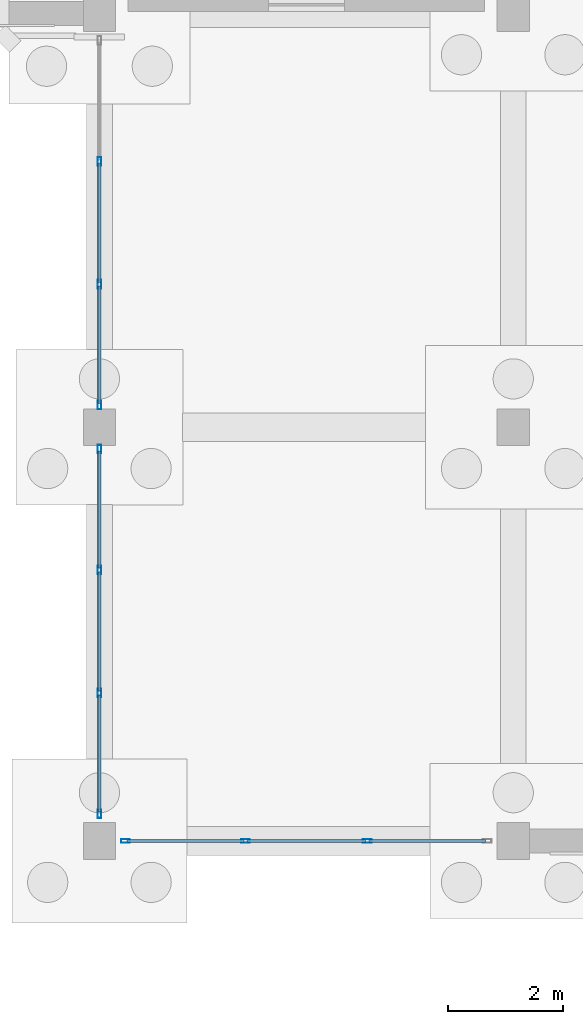
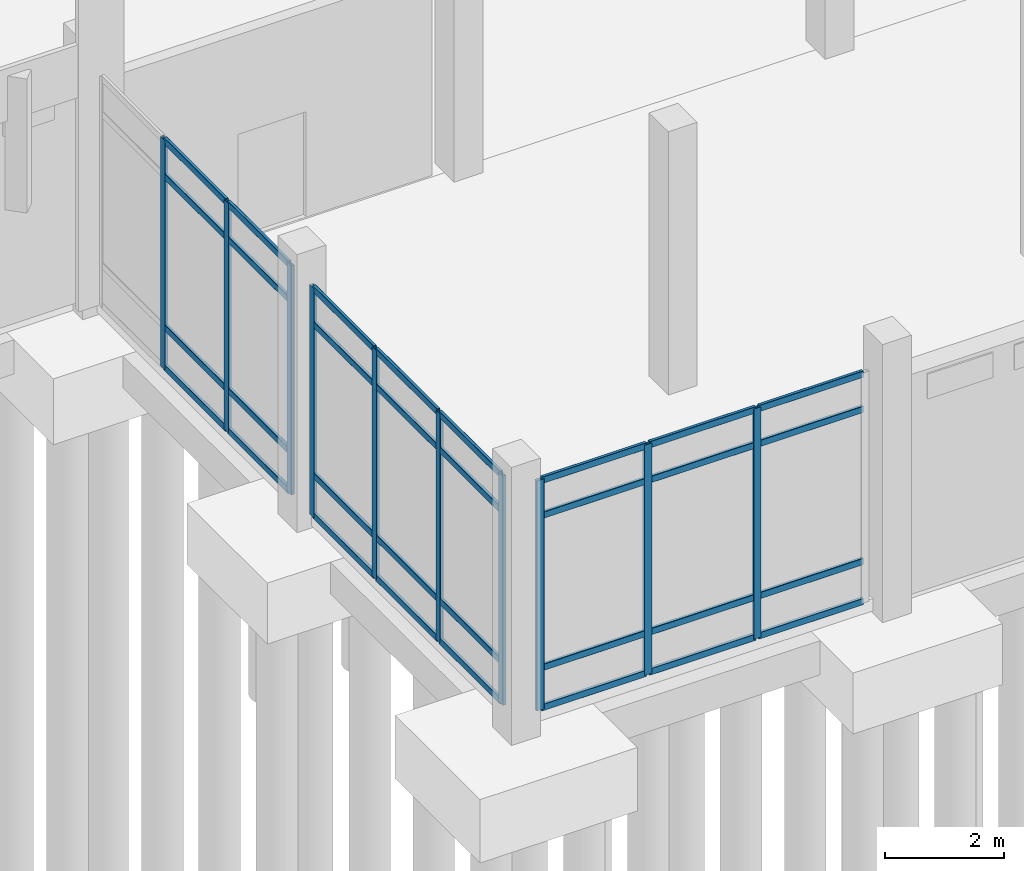
# One storey, part 50 of 109: 42 members, 3 elements without a shape of their own.
"""IFC4 building model written with IfcOpenShell, lengths in metres."""

from ifc_helpers import new_model, si_unit, direction, frame, origin, origin_2d, place, context, subcontext, project, spatial, hollow_rectangle, extrude, material, material_profile, profile_set, type_object, element, aggregate, save


model = new_model("IFC4")

# Units and contexts
model_context = context("Model", 3, precision=1e-05, world=origin(), true_north=direction((0.0, 1.0)))
body_context = subcontext(model_context, "Body", "Model", "MODEL_VIEW")
ifc_project = project(units=[si_unit("LENGTHUNIT", "METRE"), si_unit("AREAUNIT", "SQUARE_METRE"), si_unit("VOLUMEUNIT", "CUBIC_METRE"), si_unit("PLANEANGLEUNIT", "RADIAN"), si_unit("MASSUNIT", "GRAM", prefix="KILO")], contexts=[model_context])

# Site, building, storey
site_placement = place(None, origin())
site = spatial("IfcSite", under=ifc_project, at=site_placement, CompositionType="ELEMENT")
building_placement = place(site_placement, origin())
building = spatial("IfcBuilding", under=site, at=building_placement, Name="Lusvemor Sports Hall", CompositionType="ELEMENT")
storey_placement = place(building_placement, origin())
storey = spatial("IfcBuildingStorey", under=building, at=storey_placement, Name="L00", CompositionType="ELEMENT", Elevation=0.0)

# Curtain wall, members
ifc_material_1 = material(Name="Thermally broken bronze-anodized aluminium", Category="aluminium")
curtain_wall_type = type_object("IfcCurtainWallType", Name="CW_WING_B", PredefinedType="NOTDEFINED", material=ifc_material_1)
curtain_wall_1_placement = place(storey_placement, origin())
curtain_wall_1 = element("IfcCurtainWall", 1, at=curtain_wall_1_placement, inside=storey, type_object=curtain_wall_type, Name="Curtain Wall CW-L00-S-5-0", PredefinedType="NOTDEFINED")
ifc_material_2 = material(Name="Thermally broken bronze-anodized aluminium", Category="aluminium")
ifc_material_profile_1 = material_profile(ifc_material_2, hollow_rectangle(XDim=0.06494140625, YDim=0.14990234375, WallThickness=0.00390625, InnerFilletRadius=0.00390625, OuterFilletRadius=0.008056640625, at=origin_2d()), Name="CWMUL150x65x4")
ifc_profile_set_1 = profile_set([ifc_material_profile_1], Name="Thermally broken bronze-anodized aluminium")
member_type_1 = type_object("IfcMemberType", Name="CW_MUL_B", PredefinedType="MULLION", material=ifc_profile_set_1)
member_1_placement = place(storey_placement, frame((123.4599609375, 82.800048828125, 0.0), z_axis=(0.0, 0.0, 1.0), x_axis=(0.0, -1.0, 0.0)))
member_1 = element("IfcMember", 2, at=member_1_placement, type_object=member_type_1, Name="CW02 mullion 2", PredefinedType="MULLION", context=body_context, shape_type="SweptSolid", body=[
    extrude(hollow_rectangle(XDim=0.06494140625, YDim=0.14990234375, WallThickness=0.00390625, InnerFilletRadius=0.00390625, OuterFilletRadius=0.008056640625, at=origin_2d()), origin(), (0.0, 0.0, 1.0), 4.719970703125),
])
member_2_placement = place(storey_placement, frame((121.340087890625, 82.800048828125, 0.0), z_axis=(0.0, 0.0, 1.0), x_axis=(0.0, -1.0, 0.0)))
member_2 = element("IfcMember", 3, at=member_2_placement, type_object=member_type_1, Name="CW02 mullion 3", PredefinedType="MULLION", context=body_context, shape_type="SweptSolid", body=[
    extrude(hollow_rectangle(XDim=0.06494140625, YDim=0.14990234375, WallThickness=0.00390625, InnerFilletRadius=0.00390625, OuterFilletRadius=0.008056640625, at=origin_2d()), origin(), (0.0, 0.0, 1.0), 4.719970703125),
])
member_3_placement = place(storey_placement, frame((119.25244140625, 82.800048828125, 0.0), z_axis=(0.0, 0.0, 1.0), x_axis=(0.0, -1.0, 0.0)))
member_3 = element("IfcMember", 4, at=member_3_placement, type_object=member_type_1, Name="CW02 mullion 4", PredefinedType="MULLION", context=body_context, shape_type="SweptSolid", body=[
    extrude(hollow_rectangle(XDim=0.06494140625, YDim=0.14990234375, WallThickness=0.00390625, InnerFilletRadius=0.00390625, OuterFilletRadius=0.008056640625, at=origin_2d()), origin(), (0.0, 0.0, 1.0), 4.719970703125),
])

curtain_wall_2_placement = place(storey_placement, origin())
curtain_wall_2 = element("IfcCurtainWall", 5, at=curtain_wall_2_placement, inside=storey, type_object=curtain_wall_type, Name="Curtain Wall CW-V5NE-W-L00-A", PredefinedType="NOTDEFINED")
member_4_placement = place(storey_placement, frame((118.800048828125, 83.2724609375, 0.0), z_axis=(0.0, 0.0, 1.0), x_axis=(-1.0, 0.0, 0.0)))
member_4 = element("IfcMember", 6, at=member_4_placement, type_object=member_type_1, Name="CW02 mullion 1", PredefinedType="MULLION", context=body_context, shape_type="SweptSolid", body=[
    extrude(hollow_rectangle(XDim=0.06494140625, YDim=0.14990234375, WallThickness=0.00390625, InnerFilletRadius=0.00390625, OuterFilletRadius=0.008056640625, at=origin_2d()), origin(), (0.0, 0.0, 1.0), 4.699951171875),
])
member_5_placement = place(storey_placement, frame((118.800048828125, 85.376708984375, 0.0), z_axis=(0.0, 0.0, 1.0), x_axis=(-1.0, 0.0, 0.0)))
member_5 = element("IfcMember", 7, at=member_5_placement, type_object=member_type_1, Name="CW02 mullion 2", PredefinedType="MULLION", context=body_context, shape_type="SweptSolid", body=[
    extrude(hollow_rectangle(XDim=0.06494140625, YDim=0.14990234375, WallThickness=0.00390625, InnerFilletRadius=0.00390625, OuterFilletRadius=0.008056640625, at=origin_2d()), origin(), (0.0, 0.0, 1.0), 4.699951171875),
])
member_6_placement = place(storey_placement, frame((118.800048828125, 87.513427734375, 0.0), z_axis=(0.0, 0.0, 1.0), x_axis=(-1.0, 0.0, 0.0)))
member_6 = element("IfcMember", 8, at=member_6_placement, type_object=member_type_1, Name="CW02 mullion 3", PredefinedType="MULLION", context=body_context, shape_type="SweptSolid", body=[
    extrude(hollow_rectangle(XDim=0.06494140625, YDim=0.14990234375, WallThickness=0.00390625, InnerFilletRadius=0.00390625, OuterFilletRadius=0.008056640625, at=origin_2d()), origin(), (0.0, 0.0, 1.0), 4.699951171875),
])
member_7_placement = place(storey_placement, frame((118.800048828125, 89.617431640625, 0.0), z_axis=(0.0, 0.0, 1.0), x_axis=(-1.0, 0.0, 0.0)))
member_7 = element("IfcMember", 9, at=member_7_placement, type_object=member_type_1, Name="CW02 mullion 4", PredefinedType="MULLION", context=body_context, shape_type="SweptSolid", body=[
    extrude(hollow_rectangle(XDim=0.06494140625, YDim=0.14990234375, WallThickness=0.00390625, InnerFilletRadius=0.00390625, OuterFilletRadius=0.008056640625, at=origin_2d()), origin(), (0.0, 0.0, 1.0), 4.699951171875),
])

curtain_wall_3_placement = place(storey_placement, origin())
curtain_wall_3 = element("IfcCurtainWall", 10, at=curtain_wall_3_placement, inside=storey, type_object=curtain_wall_type, Name="Curtain Wall CW-V5NE-W-L00-B", PredefinedType="NOTDEFINED")
member_8_placement = place(storey_placement, frame((118.800048828125, 90.382568359375, 0.0), z_axis=(0.0, 0.0, 1.0), x_axis=(-1.0, 0.0, 0.0)))
member_8 = element("IfcMember", 11, at=member_8_placement, type_object=member_type_1, Name="CW02 mullion 1", PredefinedType="MULLION", context=body_context, shape_type="SweptSolid", body=[
    extrude(hollow_rectangle(XDim=0.06494140625, YDim=0.14990234375, WallThickness=0.00390625, InnerFilletRadius=0.00390625, OuterFilletRadius=0.008056640625, at=origin_2d()), origin(), (0.0, 0.0, 1.0), 4.699951171875),
])
member_9_placement = place(storey_placement, frame((118.800048828125, 92.486572265625, 0.0), z_axis=(0.0, 0.0, 1.0), x_axis=(-1.0, 0.0, 0.0)))
member_9 = element("IfcMember", 12, at=member_9_placement, type_object=member_type_1, Name="CW02 mullion 2", PredefinedType="MULLION", context=body_context, shape_type="SweptSolid", body=[
    extrude(hollow_rectangle(XDim=0.06494140625, YDim=0.14990234375, WallThickness=0.00390625, InnerFilletRadius=0.00390625, OuterFilletRadius=0.008056640625, at=origin_2d()), origin(), (0.0, 0.0, 1.0), 4.699951171875),
])
member_10_placement = place(storey_placement, frame((118.800048828125, 94.623291015625, 0.0), z_axis=(0.0, 0.0, 1.0), x_axis=(-1.0, 0.0, 0.0)))
member_10 = element("IfcMember", 13, at=member_10_placement, type_object=member_type_1, Name="CW02 mullion 3", PredefinedType="MULLION", context=body_context, shape_type="SweptSolid", body=[
    extrude(hollow_rectangle(XDim=0.06494140625, YDim=0.14990234375, WallThickness=0.00390625, InnerFilletRadius=0.00390625, OuterFilletRadius=0.008056640625, at=origin_2d()), origin(), (0.0, 0.0, 1.0), 4.699951171875),
])

# Member
ifc_material_3 = material(Name="Thermally broken bronze-anodized aluminium", Category="aluminium")
ifc_material_profile_2 = material_profile(ifc_material_3, hollow_rectangle(XDim=0.06005859375, YDim=0.135009765625, WallThickness=0.00390625, InnerFilletRadius=0.00390625, OuterFilletRadius=0.008056640625, at=origin_2d()), Name="CWTRN135x60x4")
ifc_profile_set_2 = profile_set([ifc_material_profile_2], Name="Thermally broken bronze-anodized aluminium")
member_type_2 = type_object("IfcMemberType", Name="CW_TRN_B", PredefinedType="USERDEFINED", material=ifc_profile_set_2)
member_11_placement = place(storey_placement, frame((125.514892578125, 82.800048828125, 0.030029296875), z_axis=(-1.0, 0.0, 0.0), x_axis=(0.0, -1.0, 0.0)))
member_11 = element("IfcMember", 14, at=member_11_placement, type_object=member_type_2, Name="CW02 transom 1.1", ObjectType="TRANSOM", PredefinedType="USERDEFINED", context=body_context, shape_type="SweptSolid", body=[
    extrude(hollow_rectangle(XDim=0.06005859375, YDim=0.135009765625, WallThickness=0.00390625, InnerFilletRadius=0.00390625, OuterFilletRadius=0.008056640625, at=origin_2d()), origin(), (0.0, 0.0, 1.0), 2.0224609375),
])

member_12_placement = place(storey_placement, frame((125.514892578125, 82.800048828125, 0.85009765625), z_axis=(-1.0, 0.0, 0.0), x_axis=(0.0, -1.0, 0.0)))
member_12 = element("IfcMember", 15, at=member_12_placement, type_object=member_type_2, Name="CW02 transom 1.2", ObjectType="TRANSOM", PredefinedType="USERDEFINED", context=body_context, shape_type="SweptSolid", body=[
    extrude(hollow_rectangle(XDim=0.06005859375, YDim=0.135009765625, WallThickness=0.00390625, InnerFilletRadius=0.00390625, OuterFilletRadius=0.008056640625, at=origin_2d()), origin(), (0.0, 0.0, 1.0), 2.0224609375),
])

member_13_placement = place(storey_placement, frame((125.514892578125, 82.800048828125, 3.969970703125), z_axis=(-1.0, 0.0, 0.0), x_axis=(0.0, -1.0, 0.0)))
member_13 = element("IfcMember", 16, at=member_13_placement, type_object=member_type_2, Name="CW02 transom 1.3", ObjectType="TRANSOM", PredefinedType="USERDEFINED", context=body_context, shape_type="SweptSolid", body=[
    extrude(hollow_rectangle(XDim=0.06005859375, YDim=0.135009765625, WallThickness=0.00390625, InnerFilletRadius=0.00390625, OuterFilletRadius=0.008056640625, at=origin_2d()), origin(), (0.0, 0.0, 1.0), 2.0224609375),
])

member_14_placement = place(storey_placement, frame((125.514892578125, 82.800048828125, 4.68994140625), z_axis=(-1.0, 0.0, 0.0), x_axis=(0.0, -1.0, 0.0)))
member_14 = element("IfcMember", 17, at=member_14_placement, type_object=member_type_2, Name="CW02 transom 1.4", ObjectType="TRANSOM", PredefinedType="USERDEFINED", context=body_context, shape_type="SweptSolid", body=[
    extrude(hollow_rectangle(XDim=0.06005859375, YDim=0.135009765625, WallThickness=0.00390625, InnerFilletRadius=0.00390625, OuterFilletRadius=0.008056640625, at=origin_2d()), origin(), (0.0, 0.0, 1.0), 2.0224609375),
])

member_15_placement = place(storey_placement, frame((123.427490234375, 82.800048828125, 0.030029296875), z_axis=(-1.0, 0.0, 0.0), x_axis=(0.0, -1.0, 0.0)))
member_15 = element("IfcMember", 18, at=member_15_placement, type_object=member_type_2, Name="CW02 transom 2.1", ObjectType="TRANSOM", PredefinedType="USERDEFINED", context=body_context, shape_type="SweptSolid", body=[
    extrude(hollow_rectangle(XDim=0.06005859375, YDim=0.135009765625, WallThickness=0.00390625, InnerFilletRadius=0.00390625, OuterFilletRadius=0.008056640625, at=origin_2d()), origin(), (0.0, 0.0, 1.0), 2.054931640625),
])

member_16_placement = place(storey_placement, frame((123.427490234375, 82.800048828125, 0.85009765625), z_axis=(-1.0, 0.0, 0.0), x_axis=(0.0, -1.0, 0.0)))
member_16 = element("IfcMember", 19, at=member_16_placement, type_object=member_type_2, Name="CW02 transom 2.2", ObjectType="TRANSOM", PredefinedType="USERDEFINED", context=body_context, shape_type="SweptSolid", body=[
    extrude(hollow_rectangle(XDim=0.06005859375, YDim=0.135009765625, WallThickness=0.00390625, InnerFilletRadius=0.00390625, OuterFilletRadius=0.008056640625, at=origin_2d()), origin(), (0.0, 0.0, 1.0), 2.054931640625),
])

member_17_placement = place(storey_placement, frame((123.427490234375, 82.800048828125, 3.969970703125), z_axis=(-1.0, 0.0, 0.0), x_axis=(0.0, -1.0, 0.0)))
member_17 = element("IfcMember", 20, at=member_17_placement, type_object=member_type_2, Name="CW02 transom 2.3", ObjectType="TRANSOM", PredefinedType="USERDEFINED", context=body_context, shape_type="SweptSolid", body=[
    extrude(hollow_rectangle(XDim=0.06005859375, YDim=0.135009765625, WallThickness=0.00390625, InnerFilletRadius=0.00390625, OuterFilletRadius=0.008056640625, at=origin_2d()), origin(), (0.0, 0.0, 1.0), 2.054931640625),
])

member_18_placement = place(storey_placement, frame((123.427490234375, 82.800048828125, 4.68994140625), z_axis=(-1.0, 0.0, 0.0), x_axis=(0.0, -1.0, 0.0)))
member_18 = element("IfcMember", 21, at=member_18_placement, type_object=member_type_2, Name="CW02 transom 2.4", ObjectType="TRANSOM", PredefinedType="USERDEFINED", context=body_context, shape_type="SweptSolid", body=[
    extrude(hollow_rectangle(XDim=0.06005859375, YDim=0.135009765625, WallThickness=0.00390625, InnerFilletRadius=0.00390625, OuterFilletRadius=0.008056640625, at=origin_2d()), origin(), (0.0, 0.0, 1.0), 2.054931640625),
])

member_19_placement = place(storey_placement, frame((121.3076171875, 82.800048828125, 0.030029296875), z_axis=(-1.0, 0.0, 0.0), x_axis=(0.0, -1.0, 0.0)))
member_19 = element("IfcMember", 22, at=member_19_placement, type_object=member_type_2, Name="CW02 transom 3.1", ObjectType="TRANSOM", PredefinedType="USERDEFINED", context=body_context, shape_type="SweptSolid", body=[
    extrude(hollow_rectangle(XDim=0.06005859375, YDim=0.135009765625, WallThickness=0.00390625, InnerFilletRadius=0.00390625, OuterFilletRadius=0.008056640625, at=origin_2d()), origin(), (0.0, 0.0, 1.0), 2.022705078125),
])

member_20_placement = place(storey_placement, frame((121.3076171875, 82.800048828125, 0.85009765625), z_axis=(-1.0, 0.0, 0.0), x_axis=(0.0, -1.0, 0.0)))
member_20 = element("IfcMember", 23, at=member_20_placement, type_object=member_type_2, Name="CW02 transom 3.2", ObjectType="TRANSOM", PredefinedType="USERDEFINED", context=body_context, shape_type="SweptSolid", body=[
    extrude(hollow_rectangle(XDim=0.06005859375, YDim=0.135009765625, WallThickness=0.00390625, InnerFilletRadius=0.00390625, OuterFilletRadius=0.008056640625, at=origin_2d()), origin(), (0.0, 0.0, 1.0), 2.022705078125),
])

member_21_placement = place(storey_placement, frame((121.3076171875, 82.800048828125, 3.969970703125), z_axis=(-1.0, 0.0, 0.0), x_axis=(0.0, -1.0, 0.0)))
member_21 = element("IfcMember", 24, at=member_21_placement, type_object=member_type_2, Name="CW02 transom 3.3", ObjectType="TRANSOM", PredefinedType="USERDEFINED", context=body_context, shape_type="SweptSolid", body=[
    extrude(hollow_rectangle(XDim=0.06005859375, YDim=0.135009765625, WallThickness=0.00390625, InnerFilletRadius=0.00390625, OuterFilletRadius=0.008056640625, at=origin_2d()), origin(), (0.0, 0.0, 1.0), 2.022705078125),
])

member_22_placement = place(storey_placement, frame((121.3076171875, 82.800048828125, 4.68994140625), z_axis=(-1.0, 0.0, 0.0), x_axis=(0.0, -1.0, 0.0)))
member_22 = element("IfcMember", 25, at=member_22_placement, type_object=member_type_2, Name="CW02 transom 3.4", ObjectType="TRANSOM", PredefinedType="USERDEFINED", context=body_context, shape_type="SweptSolid", body=[
    extrude(hollow_rectangle(XDim=0.06005859375, YDim=0.135009765625, WallThickness=0.00390625, InnerFilletRadius=0.00390625, OuterFilletRadius=0.008056640625, at=origin_2d()), origin(), (0.0, 0.0, 1.0), 2.022705078125),
])

aggregate(curtain_wall_1, [member_1, member_2, member_3, member_11, member_12, member_13, member_14, member_15, member_16, member_17, member_18, member_19, member_20, member_21, member_22])

member_23_placement = place(storey_placement, frame((118.800048828125, 83.304931640625, 0.030029296875), z_axis=(0.0, 1.0, 0.0), x_axis=(-1.0, 0.0, 0.0)))
member_23 = element("IfcMember", 26, at=member_23_placement, type_object=member_type_2, Name="CW02 transom 1.1", ObjectType="TRANSOM", PredefinedType="USERDEFINED", context=body_context, shape_type="SweptSolid", body=[
    extrude(hollow_rectangle(XDim=0.06005859375, YDim=0.135009765625, WallThickness=0.00390625, InnerFilletRadius=0.00390625, OuterFilletRadius=0.008056640625, at=origin_2d()), origin(), (0.0, 0.0, 1.0), 2.039306640625),
])

member_24_placement = place(storey_placement, frame((118.800048828125, 83.304931640625, 0.85009765625), z_axis=(0.0, 1.0, 0.0), x_axis=(-1.0, 0.0, 0.0)))
member_24 = element("IfcMember", 27, at=member_24_placement, type_object=member_type_2, Name="CW02 transom 1.2", ObjectType="TRANSOM", PredefinedType="USERDEFINED", context=body_context, shape_type="SweptSolid", body=[
    extrude(hollow_rectangle(XDim=0.06005859375, YDim=0.135009765625, WallThickness=0.00390625, InnerFilletRadius=0.00390625, OuterFilletRadius=0.008056640625, at=origin_2d()), origin(), (0.0, 0.0, 1.0), 2.039306640625),
])

member_25_placement = place(storey_placement, frame((118.800048828125, 83.304931640625, 3.949951171875), z_axis=(0.0, 1.0, 0.0), x_axis=(-1.0, 0.0, 0.0)))
member_25 = element("IfcMember", 28, at=member_25_placement, type_object=member_type_2, Name="CW02 transom 1.3", ObjectType="TRANSOM", PredefinedType="USERDEFINED", context=body_context, shape_type="SweptSolid", body=[
    extrude(hollow_rectangle(XDim=0.06005859375, YDim=0.135009765625, WallThickness=0.00390625, InnerFilletRadius=0.00390625, OuterFilletRadius=0.008056640625, at=origin_2d()), origin(), (0.0, 0.0, 1.0), 2.039306640625),
])

member_26_placement = place(storey_placement, frame((118.800048828125, 83.304931640625, 4.669921875), z_axis=(0.0, 1.0, 0.0), x_axis=(-1.0, 0.0, 0.0)))
member_26 = element("IfcMember", 29, at=member_26_placement, type_object=member_type_2, Name="CW02 transom 1.4", ObjectType="TRANSOM", PredefinedType="USERDEFINED", context=body_context, shape_type="SweptSolid", body=[
    extrude(hollow_rectangle(XDim=0.06005859375, YDim=0.135009765625, WallThickness=0.00390625, InnerFilletRadius=0.00390625, OuterFilletRadius=0.008056640625, at=origin_2d()), origin(), (0.0, 0.0, 1.0), 2.039306640625),
])

member_27_placement = place(storey_placement, frame((118.800048828125, 85.4091796875, 0.030029296875), z_axis=(0.0, 1.0, 0.0), x_axis=(-1.0, 0.0, 0.0)))
member_27 = element("IfcMember", 30, at=member_27_placement, type_object=member_type_2, Name="CW02 transom 2.1", ObjectType="TRANSOM", PredefinedType="USERDEFINED", context=body_context, shape_type="SweptSolid", body=[
    extrude(hollow_rectangle(XDim=0.06005859375, YDim=0.135009765625, WallThickness=0.00390625, InnerFilletRadius=0.00390625, OuterFilletRadius=0.008056640625, at=origin_2d()), origin(), (0.0, 0.0, 1.0), 2.071533203125),
])

member_28_placement = place(storey_placement, frame((118.800048828125, 85.4091796875, 0.85009765625), z_axis=(0.0, 1.0, 0.0), x_axis=(-1.0, 0.0, 0.0)))
member_28 = element("IfcMember", 31, at=member_28_placement, type_object=member_type_2, Name="CW02 transom 2.2", ObjectType="TRANSOM", PredefinedType="USERDEFINED", context=body_context, shape_type="SweptSolid", body=[
    extrude(hollow_rectangle(XDim=0.06005859375, YDim=0.135009765625, WallThickness=0.00390625, InnerFilletRadius=0.00390625, OuterFilletRadius=0.008056640625, at=origin_2d()), origin(), (0.0, 0.0, 1.0), 2.071533203125),
])

member_29_placement = place(storey_placement, frame((118.800048828125, 85.4091796875, 3.949951171875), z_axis=(0.0, 1.0, 0.0), x_axis=(-1.0, 0.0, 0.0)))
member_29 = element("IfcMember", 32, at=member_29_placement, type_object=member_type_2, Name="CW02 transom 2.3", ObjectType="TRANSOM", PredefinedType="USERDEFINED", context=body_context, shape_type="SweptSolid", body=[
    extrude(hollow_rectangle(XDim=0.06005859375, YDim=0.135009765625, WallThickness=0.00390625, InnerFilletRadius=0.00390625, OuterFilletRadius=0.008056640625, at=origin_2d()), origin(), (0.0, 0.0, 1.0), 2.071533203125),
])

member_30_placement = place(storey_placement, frame((118.800048828125, 85.4091796875, 4.669921875), z_axis=(0.0, 1.0, 0.0), x_axis=(-1.0, 0.0, 0.0)))
member_30 = element("IfcMember", 33, at=member_30_placement, type_object=member_type_2, Name="CW02 transom 2.4", ObjectType="TRANSOM", PredefinedType="USERDEFINED", context=body_context, shape_type="SweptSolid", body=[
    extrude(hollow_rectangle(XDim=0.06005859375, YDim=0.135009765625, WallThickness=0.00390625, InnerFilletRadius=0.00390625, OuterFilletRadius=0.008056640625, at=origin_2d()), origin(), (0.0, 0.0, 1.0), 2.071533203125),
])

member_31_placement = place(storey_placement, frame((118.800048828125, 87.5458984375, 0.030029296875), z_axis=(0.0, 1.0, 0.0), x_axis=(-1.0, 0.0, 0.0)))
member_31 = element("IfcMember", 34, at=member_31_placement, type_object=member_type_2, Name="CW02 transom 3.1", ObjectType="TRANSOM", PredefinedType="USERDEFINED", context=body_context, shape_type="SweptSolid", body=[
    extrude(hollow_rectangle(XDim=0.06005859375, YDim=0.135009765625, WallThickness=0.00390625, InnerFilletRadius=0.00390625, OuterFilletRadius=0.008056640625, at=origin_2d()), origin(), (0.0, 0.0, 1.0), 2.0390625),
])

member_32_placement = place(storey_placement, frame((118.800048828125, 87.5458984375, 0.85009765625), z_axis=(0.0, 1.0, 0.0), x_axis=(-1.0, 0.0, 0.0)))
member_32 = element("IfcMember", 35, at=member_32_placement, type_object=member_type_2, Name="CW02 transom 3.2", ObjectType="TRANSOM", PredefinedType="USERDEFINED", context=body_context, shape_type="SweptSolid", body=[
    extrude(hollow_rectangle(XDim=0.06005859375, YDim=0.135009765625, WallThickness=0.00390625, InnerFilletRadius=0.00390625, OuterFilletRadius=0.008056640625, at=origin_2d()), origin(), (0.0, 0.0, 1.0), 2.0390625),
])

member_33_placement = place(storey_placement, frame((118.800048828125, 87.5458984375, 3.949951171875), z_axis=(0.0, 1.0, 0.0), x_axis=(-1.0, 0.0, 0.0)))
member_33 = element("IfcMember", 36, at=member_33_placement, type_object=member_type_2, Name="CW02 transom 3.3", ObjectType="TRANSOM", PredefinedType="USERDEFINED", context=body_context, shape_type="SweptSolid", body=[
    extrude(hollow_rectangle(XDim=0.06005859375, YDim=0.135009765625, WallThickness=0.00390625, InnerFilletRadius=0.00390625, OuterFilletRadius=0.008056640625, at=origin_2d()), origin(), (0.0, 0.0, 1.0), 2.0390625),
])

member_34_placement = place(storey_placement, frame((118.800048828125, 87.5458984375, 4.669921875), z_axis=(0.0, 1.0, 0.0), x_axis=(-1.0, 0.0, 0.0)))
member_34 = element("IfcMember", 37, at=member_34_placement, type_object=member_type_2, Name="CW02 transom 3.4", ObjectType="TRANSOM", PredefinedType="USERDEFINED", context=body_context, shape_type="SweptSolid", body=[
    extrude(hollow_rectangle(XDim=0.06005859375, YDim=0.135009765625, WallThickness=0.00390625, InnerFilletRadius=0.00390625, OuterFilletRadius=0.008056640625, at=origin_2d()), origin(), (0.0, 0.0, 1.0), 2.0390625),
])

aggregate(curtain_wall_2, [member_4, member_5, member_6, member_7, member_23, member_24, member_25, member_26, member_27, member_28, member_29, member_30, member_31, member_32, member_33, member_34])

member_35_placement = place(storey_placement, frame((118.800048828125, 90.4150390625, 0.030029296875), z_axis=(0.0, 1.0, 0.0), x_axis=(-1.0, 0.0, 0.0)))
member_35 = element("IfcMember", 38, at=member_35_placement, type_object=member_type_2, Name="CW02 transom 1.1", ObjectType="TRANSOM", PredefinedType="USERDEFINED", context=body_context, shape_type="SweptSolid", body=[
    extrude(hollow_rectangle(XDim=0.06005859375, YDim=0.135009765625, WallThickness=0.00390625, InnerFilletRadius=0.00390625, OuterFilletRadius=0.008056640625, at=origin_2d()), origin(), (0.0, 0.0, 1.0), 2.0390625),
])

member_36_placement = place(storey_placement, frame((118.800048828125, 90.4150390625, 0.85009765625), z_axis=(0.0, 1.0, 0.0), x_axis=(-1.0, 0.0, 0.0)))
member_36 = element("IfcMember", 39, at=member_36_placement, type_object=member_type_2, Name="CW02 transom 1.2", ObjectType="TRANSOM", PredefinedType="USERDEFINED", context=body_context, shape_type="SweptSolid", body=[
    extrude(hollow_rectangle(XDim=0.06005859375, YDim=0.135009765625, WallThickness=0.00390625, InnerFilletRadius=0.00390625, OuterFilletRadius=0.008056640625, at=origin_2d()), origin(), (0.0, 0.0, 1.0), 2.0390625),
])

member_37_placement = place(storey_placement, frame((118.800048828125, 90.4150390625, 3.949951171875), z_axis=(0.0, 1.0, 0.0), x_axis=(-1.0, 0.0, 0.0)))
member_37 = element("IfcMember", 40, at=member_37_placement, type_object=member_type_2, Name="CW02 transom 1.3", ObjectType="TRANSOM", PredefinedType="USERDEFINED", context=body_context, shape_type="SweptSolid", body=[
    extrude(hollow_rectangle(XDim=0.06005859375, YDim=0.135009765625, WallThickness=0.00390625, InnerFilletRadius=0.00390625, OuterFilletRadius=0.008056640625, at=origin_2d()), origin(), (0.0, 0.0, 1.0), 2.0390625),
])

member_38_placement = place(storey_placement, frame((118.800048828125, 90.4150390625, 4.669921875), z_axis=(0.0, 1.0, 0.0), x_axis=(-1.0, 0.0, 0.0)))
member_38 = element("IfcMember", 41, at=member_38_placement, type_object=member_type_2, Name="CW02 transom 1.4", ObjectType="TRANSOM", PredefinedType="USERDEFINED", context=body_context, shape_type="SweptSolid", body=[
    extrude(hollow_rectangle(XDim=0.06005859375, YDim=0.135009765625, WallThickness=0.00390625, InnerFilletRadius=0.00390625, OuterFilletRadius=0.008056640625, at=origin_2d()), origin(), (0.0, 0.0, 1.0), 2.0390625),
])

member_39_placement = place(storey_placement, frame((118.800048828125, 92.519287109375, 0.030029296875), z_axis=(0.0, 1.0, 0.0), x_axis=(-1.0, 0.0, 0.0)))
member_39 = element("IfcMember", 42, at=member_39_placement, type_object=member_type_2, Name="CW02 transom 2.1", ObjectType="TRANSOM", PredefinedType="USERDEFINED", context=body_context, shape_type="SweptSolid", body=[
    extrude(hollow_rectangle(XDim=0.06005859375, YDim=0.135009765625, WallThickness=0.00390625, InnerFilletRadius=0.00390625, OuterFilletRadius=0.008056640625, at=origin_2d()), origin(), (0.0, 0.0, 1.0), 2.071533203125),
])

member_40_placement = place(storey_placement, frame((118.800048828125, 92.519287109375, 0.85009765625), z_axis=(0.0, 1.0, 0.0), x_axis=(-1.0, 0.0, 0.0)))
member_40 = element("IfcMember", 43, at=member_40_placement, type_object=member_type_2, Name="CW02 transom 2.2", ObjectType="TRANSOM", PredefinedType="USERDEFINED", context=body_context, shape_type="SweptSolid", body=[
    extrude(hollow_rectangle(XDim=0.06005859375, YDim=0.135009765625, WallThickness=0.00390625, InnerFilletRadius=0.00390625, OuterFilletRadius=0.008056640625, at=origin_2d()), origin(), (0.0, 0.0, 1.0), 2.071533203125),
])

member_41_placement = place(storey_placement, frame((118.800048828125, 92.519287109375, 3.949951171875), z_axis=(0.0, 1.0, 0.0), x_axis=(-1.0, 0.0, 0.0)))
member_41 = element("IfcMember", 44, at=member_41_placement, type_object=member_type_2, Name="CW02 transom 2.3", ObjectType="TRANSOM", PredefinedType="USERDEFINED", context=body_context, shape_type="SweptSolid", body=[
    extrude(hollow_rectangle(XDim=0.06005859375, YDim=0.135009765625, WallThickness=0.00390625, InnerFilletRadius=0.00390625, OuterFilletRadius=0.008056640625, at=origin_2d()), origin(), (0.0, 0.0, 1.0), 2.071533203125),
])

member_42_placement = place(storey_placement, frame((118.800048828125, 92.519287109375, 4.669921875), z_axis=(0.0, 1.0, 0.0), x_axis=(-1.0, 0.0, 0.0)))
member_42 = element("IfcMember", 45, at=member_42_placement, type_object=member_type_2, Name="CW02 transom 2.4", ObjectType="TRANSOM", PredefinedType="USERDEFINED", context=body_context, shape_type="SweptSolid", body=[
    extrude(hollow_rectangle(XDim=0.06005859375, YDim=0.135009765625, WallThickness=0.00390625, InnerFilletRadius=0.00390625, OuterFilletRadius=0.008056640625, at=origin_2d()), origin(), (0.0, 0.0, 1.0), 2.071533203125),
])

aggregate(curtain_wall_3, [member_8, member_9, member_10, member_35, member_36, member_37, member_38, member_39, member_40, member_41, member_42])

save(model, "model.ifc")
